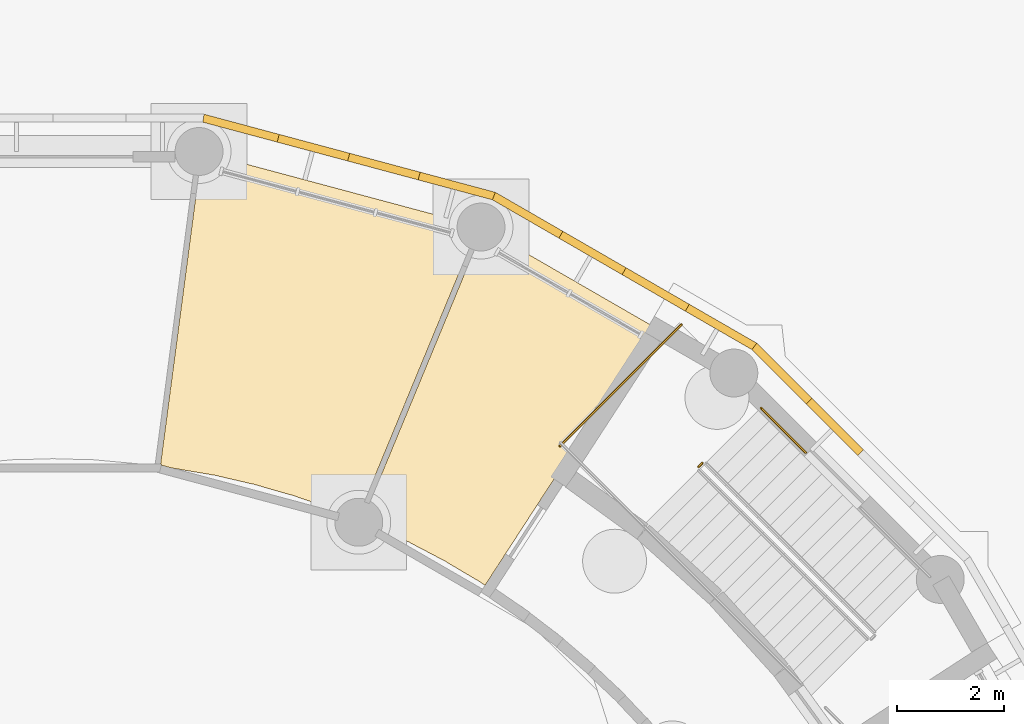
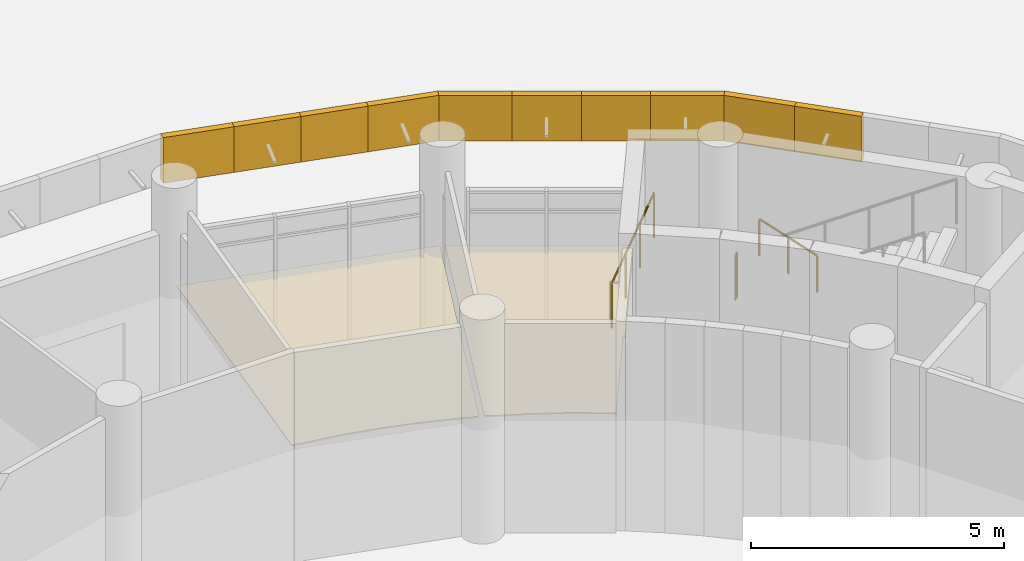
# One storey, part 129 of 146: 12 coverings, 3 railings.
"""IFC4 building model written with IfcOpenShell, lengths in metres."""

from ifc_helpers import new_model, si_unit, direction, frame, origin, origin_2d, place, context, subcontext, project, spatial, polyline, circle, outline, extrude, material, layer, layer_set, type_object, element, save


model = new_model("IFC4")

# Units and contexts
model_context = context("Model", 3, precision=1e-05, world=origin(), true_north=direction((0.0, 1.0)))
body_context = subcontext(model_context, "Body", "Model", "MODEL_VIEW")
ifc_project = project(units=[si_unit("LENGTHUNIT", "METRE"), si_unit("AREAUNIT", "SQUARE_METRE"), si_unit("VOLUMEUNIT", "CUBIC_METRE"), si_unit("PLANEANGLEUNIT", "RADIAN"), si_unit("MASSUNIT", "GRAM", prefix="KILO")], contexts=[model_context])

# Site, building, storey
site_placement = place(None, origin())
site = spatial("IfcSite", under=ifc_project, at=site_placement, CompositionType="ELEMENT")
building_placement = place(site_placement, origin())
building = spatial("IfcBuilding", under=site, at=building_placement, Name="Bougainvillea Quay General Hospital", CompositionType="ELEMENT")
storey_placement = place(building_placement, origin())
storey = spatial("IfcBuildingStorey", under=building, at=storey_placement, Name="L00", CompositionType="ELEMENT", Elevation=0.0)

# Coverings
ifc_material_1 = material(Name="Powder-coated aluminium fascia, white", Category="aluminium")
ifc_layer_1 = layer(ifc_material_1, 0.14990234375)
ifc_layer_set_1 = layer_set([ifc_layer_1], Name="Powder-coated aluminium fascia, white")
covering_type_1 = type_object("IfcCoveringType", Name="Aluminium fascia band white 150x1100", PredefinedType="CLADDING", material=ifc_layer_set_1)
covering_1_placement = place(storey_placement, frame((124.310791015625, 89.11083984375, 4.85009765625), z_axis=(0.0, 0.0, 1.0), x_axis=(-0.707106781187, 0.707106781187, 0.0)))
element("IfcCovering", 1, at=covering_1_placement, inside=storey, type_object=covering_type_1, Name="Fascia band white e0 13", PredefinedType="CLADDING", context=body_context, shape_type="SweptSolid", body=[
    extrude(outline(polyline([(0.0, 0.0), (1.370364655531937, 0.0), (1.370364655531937, -0.15019113760554115), (0.0, -0.15019113760554112), (0.0, 0.0)])), origin(), (0.0, 0.0, 1.0), 1.10009765625),
])
covering_2_placement = place(storey_placement, frame((123.341796875, 90.079833984375, 4.85009765625), z_axis=(0.0, 0.0, 1.0), x_axis=(-0.707022163611, 0.707191388638, 0.0)))
element("IfcCovering", 2, at=covering_2_placement, inside=storey, type_object=covering_type_1, Name="Fascia band white e0 14", PredefinedType="CLADDING", context=body_context, shape_type="SweptSolid", body=[
    extrude(outline(polyline([(0.0, 0.0), (1.4426980987993736, 1.1102230246251565e-16), (1.4625689014186596, -0.15001612744454185), (1.797189619842654e-05, -0.15019113653028107), (0.0, 0.0)])), origin(), (0.0, 0.0, 1.0), 1.10009765625),
])
covering_3_placement = place(storey_placement, frame((122.32177734375, 91.10009765625, 4.85009765625), z_axis=(0.0, 0.0, 1.0), x_axis=(-0.866058810152, 0.49994213401, 0.0)))
element("IfcCovering", 3, at=covering_3_placement, inside=storey, type_object=covering_type_1, Name="Fascia band white e0 15", PredefinedType="CLADDING", context=body_context, shape_type="SweptSolid", body=[
    extrude(outline(polyline([(0.0, 0.0), (1.4430380994058942, 0.0), (1.4430598671248545, -0.14995740286665526), (-0.01966128942728619, -0.15004373025304368), (0.0, 0.0)])), origin(), (0.0, 0.0, 1.0), 1.10009765625),
])
for number, where, z_axis, x_axis, name in (
    (4, (121.072021484375, 91.821533203125, 4.85009765625), (0.0, 0.0, 1.0), (-0.866031343357, 0.499989712218, 0.0), "Fascia band white e0 16"),
    (5, (119.885009765625, 92.5068359375, 4.85009765625), (0.0, 0.0, 1.0), (-0.866031343357, 0.499989712218, 0.0), "Fascia band white e0 17"),
):
    element("IfcCovering", number, at=place(storey_placement, frame(where, z_axis=z_axis, x_axis=x_axis)), inside=storey, type_object=covering_type_1, Name=name, PredefinedType="CLADDING", context=body_context, shape_type="SweptSolid", body=[
        extrude(outline(polyline([(0.0, 0.0), (1.3706336703115394, 0.0), (1.3706636762903692, -0.14995740144450076), (3.0005978829975022e-05, -0.14995740144450084), (0.0, 0.0)])), origin(), (0.0, 0.0, 1.0), 1.10009765625),
    ])
covering_4_placement = place(storey_placement, frame((118.697998046875, 93.192138671875, 4.85009765625), z_axis=(0.0, 0.0, 1.0), x_axis=(-0.866058810152, 0.49994213401, 0.0)))
element("IfcCovering", 6, at=covering_4_placement, inside=storey, type_object=covering_type_1, Name="Fascia band white e0 18", PredefinedType="CLADDING", context=body_context, shape_type="SweptSolid", body=[
    extrude(outline(polyline([(0.0, 0.0), (1.4430380994058942, 0.0), (1.4627429242711008, -0.1498710754802669), (2.176771896013341e-05, -0.14995740286665532), (0.0, 0.0)])), origin(), (0.0, 0.0, 1.0), 1.10009765625),
])
covering_5_placement = place(storey_placement, frame((117.4482421875, 93.91357421875, 4.85009765625), z_axis=(0.0, 0.0, 1.0), x_axis=(-0.965902723626, 0.258905250026, 0.0)))
element("IfcCovering", 7, at=covering_5_placement, inside=storey, type_object=covering_type_1, Name="Fascia band white e0 19", PredefinedType="CLADDING", context=body_context, shape_type="SweptSolid", body=[
    extrude(outline(polyline([(0.0, 0.0), (1.4427484812010494, 1.1102230246251565e-16), (1.4427368308614057, -0.14988922115835263), (-0.01973270080190174, -0.14986740775646634), (0.0, 0.0)])), origin(), (0.0, 0.0, 1.0), 1.10009765625),
])
for number, where, z_axis, x_axis, name in (
    (8, (116.0546875, 94.287109375, 4.85009765625), (0.0, 0.0, 1.0), (-0.965917832393, 0.258848876884, 0.0), "Fascia band white e0 20"),
    (9, (114.73095703125, 94.641845703125, 4.85009765625), (0.0, 0.0, 1.0), (-0.965917832393, 0.258848876884, 0.0), "Fascia band white e0 21"),
):
    element("IfcCovering", number, at=place(storey_placement, frame(where, z_axis=z_axis, x_axis=x_axis)), inside=storey, type_object=covering_type_1, Name=name, PredefinedType="CLADDING", context=body_context, shape_type="SweptSolid", body=[
        extrude(outline(polyline([(0.0, 0.0), (1.3704379651734342, 5.551115123125783e-17), (1.3704175668926584, -0.14988922022313056), (-2.039828077596978e-05, -0.14988922022313056), (0.0, 0.0)])), origin(), (0.0, 0.0, 1.0), 1.10009765625),
    ])
covering_6_placement = place(storey_placement, frame((113.4072265625, 94.99658203125, 4.85009765625), z_axis=(0.0, 0.0, 1.0), x_axis=(-0.96591406393, 0.258862938836, 0.0)))
element("IfcCovering", 10, at=covering_6_placement, inside=storey, type_object=covering_type_1, Name="Fascia band white e0 22", PredefinedType="CLADDING", context=body_context, shape_type="SweptSolid", body=[
    extrude(outline(polyline([(0.0, 0.0), (1.4429842986801122, 5.551115123125783e-17), (1.4626871319971926, -0.1499118977779743), (-1.8216170730327164e-05, -0.14988922050420808), (0.0, 0.0)])), origin(), (0.0, 0.0, 1.0), 1.10009765625),
])

# Railings
ifc_material_2 = material(Name="Stainless steel 304 balustrade", Category="steel")
railing_type_1 = type_object("IfcRailingType", Name="Stair guard 1100", PredefinedType="GUARDRAIL", material=ifc_material_2)
railing_1_placement = place(storey_placement, frame((121.390869140625, 88.968505859375, 2.699951171875)))
element("IfcRailing", 11, at=railing_1_placement, inside=storey, type_object=railing_type_1, Name="L00 ST-H1 stair guard 2", PredefinedType="GUARDRAIL", context=body_context, shape_type="SweptSolid", body=[
    extrude(circle(Radius=0.02392578125, at=origin_2d()), frame((0.0, 0.0, 1.076171875), z_axis=(-0.708326979978, -0.705884473151, 0.0), x_axis=(0.705884473151, -0.708326979978, 0.0)), (0.0, 0.0, 1.0), 0.099853515625),
    extrude(circle(Radius=0.02099609375, at=origin_2d()), origin(), (0.0, 0.0, 1.0), 1.052001953125),
    extrude(circle(Radius=0.02099609375, at=origin_2d()), frame((-0.07080078125, -0.070556640625, 0.0)), (0.0, 0.0, 1.0), 1.052001953125),
])
railing_2_placement = place(storey_placement, frame((121.00048828125, 91.5693359375, 2.699951171875)))
element("IfcRailing", 12, at=railing_2_placement, inside=storey, type_object=railing_type_1, Name="L00 ST-H1 stair guard 4", PredefinedType="GUARDRAIL", context=body_context, shape_type="SweptSolid", body=[
    extrude(circle(Radius=0.02392578125, at=origin_2d()), frame((0.0, 0.0, 1.076171875), z_axis=(-0.707068940672, -0.707144619676, 0.0), x_axis=(0.707144619676, -0.707068940672, 0.0)), (0.0, 0.0, 1.0), 3.22607421875),
    extrude(circle(Radius=0.02099609375, at=origin_2d()), origin(), (0.0, 0.0, 1.0), 1.052001953125),
    extrude(circle(Radius=0.02099609375, at=origin_2d()), frame((-0.76025390625, -0.760498046875, 0.0)), (0.0, 0.0, 1.0), 1.052001953125),
    extrude(circle(Radius=0.02099609375, at=origin_2d()), frame((-1.520751953125, -1.520751953125, 0.0)), (0.0, 0.0, 1.0), 1.052001953125),
    extrude(circle(Radius=0.02099609375, at=origin_2d()), frame((-2.281005859375, -2.28125, 0.0)), (0.0, 0.0, 1.0), 1.052001953125),
])
ifc_material_3 = material(Name="Stainless steel 304 handrail", Category="steel")
railing_type_2 = type_object("IfcRailingType", Name="Stair handrail 900", PredefinedType="HANDRAIL", material=ifc_material_3)
railing_3_placement = place(storey_placement, frame((123.333740234375, 89.16552734375, 2.028076171875)))
element("IfcRailing", 13, at=railing_3_placement, inside=storey, type_object=railing_type_2, Name="L00 ST-H1 stair handrail 1", PredefinedType="HANDRAIL", context=body_context, shape_type="SweptSolid", body=[
    extrude(circle(Radius=0.02392578125, at=origin_2d()), frame((0.0, 0.0, 0.8759765625), z_axis=(-0.615065937965, 0.615065937965, 0.493343474579), x_axis=(-0.707106781187, -0.707106781187, 0.0)), (0.0, 0.0, 1.0), 1.36181640625),
    extrude(circle(Radius=0.02099609375, at=origin_2d()), origin(), (0.0, 0.0, 1.0), 0.851806640625),
    extrude(circle(Radius=0.02099609375, at=origin_2d()), frame((-0.4189453125, 0.4189453125, 0.3359375)), (0.0, 0.0, 1.0), 0.851806640625),
    extrude(circle(Radius=0.02099609375, at=origin_2d()), frame((-0.837646484375, 0.837646484375, 0.671875)), (0.0, 0.0, 1.0), 0.851806640625),
])

# Coverings
ifc_material_4 = material(Name="Mineral fibre ceiling tile")
ifc_layer_2 = layer(ifc_material_4, 0.030029296875)
ifc_layer_set_2 = layer_set([ifc_layer_2], Name="Mineral fibre ceiling tile")
covering_type_2 = type_object("IfcCoveringType", Name="Suspended ceiling mineral fibre tile", PredefinedType="CEILING", material=ifc_layer_set_2)
covering_7_placement = place(storey_placement, frame((0.0, 0.0, 2.699951171875)))
element("IfcCovering", 14, at=covering_7_placement, inside=storey, type_object=covering_type_2, Name="Ceiling Community Health Room 00H0411", PredefinedType="CEILING", context=body_context, shape_type="SweptSolid", body=[
    extrude(outline(polyline([(117.27978515625, 93.375732421875), (115.017578125, 87.914794921875), (115.031982421875, 87.9111328125), (115.02734375, 87.89404296875), (115.194580078125, 87.797607421875), (115.811767578125, 87.51806640625), (115.81298828125, 87.5205078125), (115.85595703125, 87.498046875), (115.900146484375, 87.47802734375), (115.89892578125, 87.475341796875), (116.4912109375, 87.164306640625), (116.492431640625, 87.16650390625), (116.534423828125, 87.1416015625), (116.577392578125, 87.119140625), (116.576416015625, 87.11669921875), (117.151611328125, 86.7763671875), (117.15283203125, 86.7783203125), (117.193603515625, 86.75146484375), (117.235595703125, 86.7265625), (117.234375, 86.724365234375), (117.3115234375, 86.67333984375), (118.649169921875, 88.73388671875), (118.64697265625, 88.7353515625), (118.702880859375, 88.816650390625), (118.756591796875, 88.8994140625), (118.7587890625, 88.89794921875), (118.76025390625, 88.900146484375), (118.79931640625, 88.873291015625), (120.51171875, 91.510009765625), (117.27978515625, 93.375732421875)])), origin(), (0.0, 0.0, 1.0), 0.030029296875),
])
covering_8_placement = place(storey_placement, frame((0.0, 0.0, 2.699951171875)))
element("IfcCovering", 15, at=covering_8_placement, inside=storey, type_object=covering_type_2, Name="Ceiling Community Health Room 00H0412", PredefinedType="CEILING", context=body_context, shape_type="SweptSolid", body=[
    extrude(outline(polyline([(111.98974609375, 94.806884765625), (111.21826171875, 88.947021484375), (111.23291015625, 88.947021484375), (111.23291015625, 88.929443359375), (111.4306640625, 88.87646484375), (112.195068359375, 88.7470703125), (112.195556640625, 88.75), (112.242919921875, 88.739013671875), (112.29052734375, 88.73095703125), (112.2900390625, 88.72802734375), (112.942138671875, 88.576416015625), (112.94287109375, 88.578857421875), (112.989501953125, 88.5654296875), (113.037109375, 88.554443359375), (113.036376953125, 88.552001953125), (113.67919921875, 88.3671875), (113.679931640625, 88.36962890625), (113.72607421875, 88.353759765625), (113.77294921875, 88.34033203125), (113.772216796875, 88.337890625), (114.404052734375, 88.120849609375), (114.40478515625, 88.122802734375), (114.4501953125, 88.10498046875), (114.49658203125, 88.089111328125), (114.495849609375, 88.0869140625), (114.7509765625, 87.986328125), (114.90380859375, 87.9453125), (114.91259765625, 87.96044921875), (114.92529296875, 87.953125), (117.187255859375, 93.4140625), (111.98974609375, 94.806884765625)])), origin(), (0.0, 0.0, 1.0), 0.030029296875),
])

save(model, "model.ifc")
